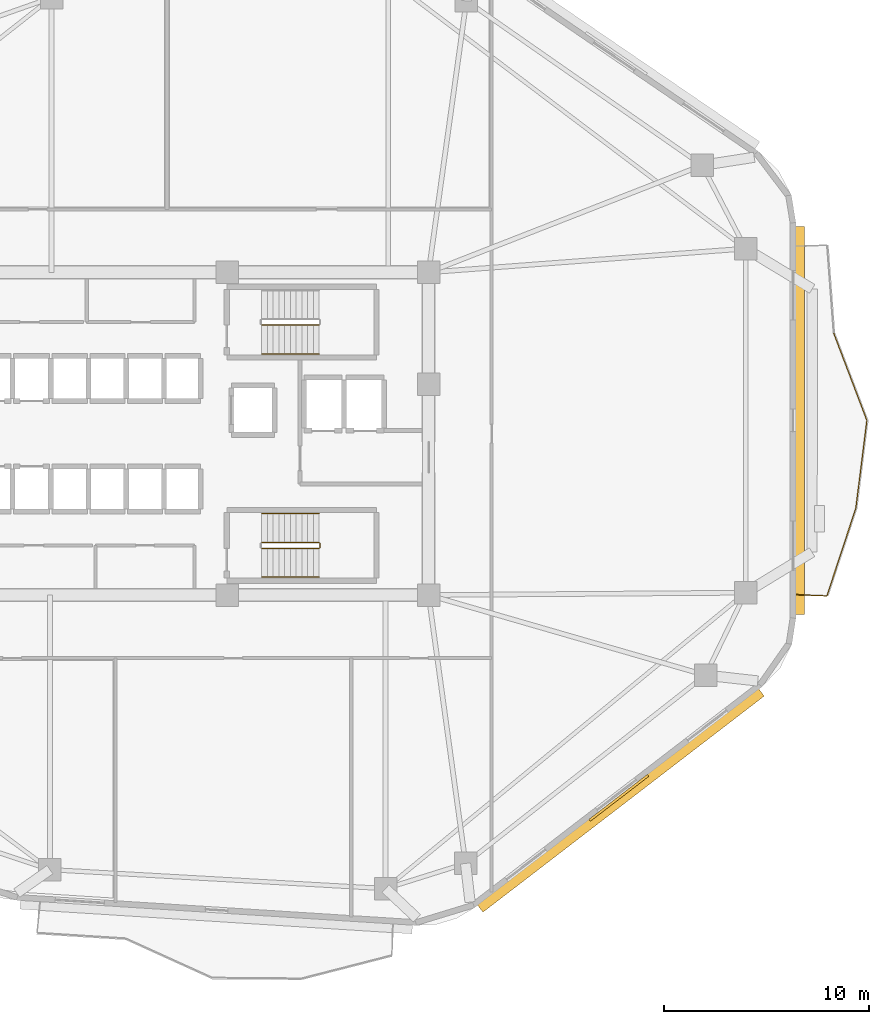
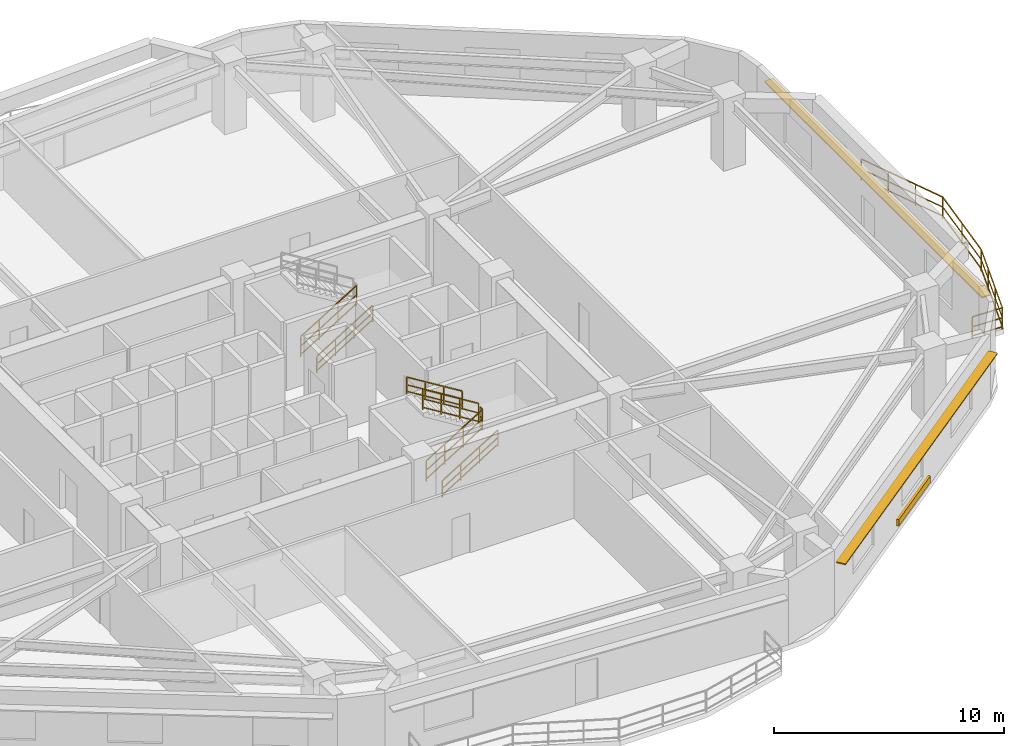
# One storey, part 7 of 8: 11 railings, 3 shading devices.
"""IFC4 building model written with IfcOpenShell, lengths in metres."""

from ifc_helpers import new_model, si_unit, direction, frame, origin, origin_2d, place, context, subcontext, project, spatial, rectangle, extrude, material, layer, layer_set, type_object, element, save


model = new_model("IFC4")

# Units and contexts
model_context = context("Model", 3, precision=1e-05, world=origin(), true_north=direction((0.0, 1.0)))
body_context = subcontext(model_context, "Body", "Model", "MODEL_VIEW")
ifc_project = project(units=[si_unit("LENGTHUNIT", "METRE"), si_unit("AREAUNIT", "SQUARE_METRE"), si_unit("VOLUMEUNIT", "CUBIC_METRE"), si_unit("PLANEANGLEUNIT", "RADIAN"), si_unit("MASSUNIT", "GRAM", prefix="KILO")], contexts=[model_context])

# Site, building, storey
site_placement = place(None, origin())
site = spatial("IfcSite", under=ifc_project, at=site_placement, CompositionType="ELEMENT")
building_placement = place(site_placement, origin())
building = spatial("IfcBuilding", under=site, at=building_placement, Name="Zulverin Broadcast Headquarters", CompositionType="ELEMENT")
storey_placement = place(building_placement, frame((0.0, 0.0, 89.60009765625)))
storey = spatial("IfcBuildingStorey", under=building, at=storey_placement, Name="L22", CompositionType="ELEMENT", Elevation=89.60009765625)

# Railings
ifc_material_1 = material(Name="Brushed stainless steel & laminated glass balustrade", Category="steel")
railing_type_1 = type_object("IfcRailingType", Name="RL-GUARD-1150", PredefinedType="GUARDRAIL", material=ifc_material_1)
railing_1_placement = place(storey_placement, frame((66.239990234375, 17.343505859375, 0.0)))
element("IfcRailing", 1, at=railing_1_placement, inside=storey, type_object=railing_type_1, Name="L22 Vertical-Forest Balcony Guardrail BAL_E Segment 01", PredefinedType="GUARDRAIL", context=body_context, shape_type="SweptSolid", body=[
    extrude(rectangle(XDim=0.048095703125, YDim=0.048095703125, at=origin_2d()), frame((0.0, 0.0, 1.1259765625), z_axis=(0.999174410196, -0.040626321628, 0.0), x_axis=(0.040626321628, 0.999174410196, 0.0)), (0.0, 0.0, 1.0), 1.46630859375),
    extrude(rectangle(XDim=0.0419921875, YDim=0.0419921875, at=origin_2d()), frame((0.0, 0.0, 0.597900390625), z_axis=(0.999174410196, -0.040626321628, 0.0), x_axis=(0.040626321628, 0.999174410196, 0.0)), (0.0, 0.0, 1.0), 1.46630859375),
    extrude(rectangle(XDim=0.0419921875, YDim=0.0419921875, at=origin_2d()), frame((0.0, 0.0, 0.1201171875), z_axis=(0.999174410196, -0.040626321628, 0.0), x_axis=(0.040626321628, 0.999174410196, 0.0)), (0.0, 0.0, 1.0), 1.46630859375),
    extrude(rectangle(XDim=0.0419921875, YDim=0.0419921875, at=origin_2d()), origin(), (0.0, 0.0, 1.0), 1.101806640625),
    extrude(rectangle(XDim=0.0419921875, YDim=0.0419921875, at=origin_2d()), frame((1.465087890625, -0.0595703125, 0.0)), (0.0, 0.0, 1.0), 1.101806640625),
])
railing_2_placement = place(storey_placement, frame((67.724609375, 17.297607421875, 0.0)))
element("IfcRailing", 2, at=railing_2_placement, inside=storey, type_object=railing_type_1, Name="L22 Vertical-Forest Balcony Guardrail BAL_E Segment 02", PredefinedType="GUARDRAIL", context=body_context, shape_type="SweptSolid", body=[
    extrude(rectangle(XDim=0.048095703125, YDim=0.048095703125, at=origin_2d()), frame((0.0, 0.0, 1.1259765625), z_axis=(0.312955712624, 0.949767719991, 0.0), x_axis=(-0.949767719991, 0.312955712624, 0.0)), (0.0, 0.0, 1.0), 4.4794921875),
    extrude(rectangle(XDim=0.0419921875, YDim=0.0419921875, at=origin_2d()), frame((0.0, 0.0, 0.597900390625), z_axis=(0.312955712624, 0.949767719991, 0.0), x_axis=(-0.949767719991, 0.312955712624, 0.0)), (0.0, 0.0, 1.0), 4.4794921875),
    extrude(rectangle(XDim=0.0419921875, YDim=0.0419921875, at=origin_2d()), frame((0.0, 0.0, 0.1201171875), z_axis=(0.312955712624, 0.949767719991, 0.0), x_axis=(-0.949767719991, 0.312955712624, 0.0)), (0.0, 0.0, 1.0), 4.4794921875),
    extrude(rectangle(XDim=0.0419921875, YDim=0.0419921875, at=origin_2d()), origin(), (0.0, 0.0, 1.0), 1.101806640625),
    extrude(rectangle(XDim=0.0419921875, YDim=0.0419921875, at=origin_2d()), frame((0.46728515625, 1.418212890625, 0.0)), (0.0, 0.0, 1.0), 1.101806640625),
    extrude(rectangle(XDim=0.0419921875, YDim=0.0419921875, at=origin_2d()), frame((0.9345703125, 2.836181640625, 0.0)), (0.0, 0.0, 1.0), 1.101806640625),
    extrude(rectangle(XDim=0.0419921875, YDim=0.0419921875, at=origin_2d()), frame((1.40185546875, 4.25439453125, 0.0)), (0.0, 0.0, 1.0), 1.101806640625),
])
railing_3_placement = place(storey_placement, frame((69.133056640625, 21.5810546875, 0.0)))
element("IfcRailing", 3, at=railing_3_placement, inside=storey, type_object=railing_type_1, Name="L22 Vertical-Forest Balcony Guardrail BAL_E Segment 03", PredefinedType="GUARDRAIL", context=body_context, shape_type="SweptSolid", body=[
    extrude(rectangle(XDim=0.048095703125, YDim=0.048095703125, at=origin_2d()), frame((0.0, 0.0, 1.1259765625), z_axis=(0.124847851321, 0.99217589873, 0.0), x_axis=(-0.99217589873, 0.124847851321, 0.0)), (0.0, 0.0, 1.0), 4.286376953125),
    extrude(rectangle(XDim=0.0419921875, YDim=0.0419921875, at=origin_2d()), frame((0.0, 0.0, 0.597900390625), z_axis=(0.124847851321, 0.99217589873, 0.0), x_axis=(-0.99217589873, 0.124847851321, 0.0)), (0.0, 0.0, 1.0), 4.286376953125),
    extrude(rectangle(XDim=0.0419921875, YDim=0.0419921875, at=origin_2d()), frame((0.0, 0.0, 0.1201171875), z_axis=(0.124847851321, 0.99217589873, 0.0), x_axis=(-0.99217589873, 0.124847851321, 0.0)), (0.0, 0.0, 1.0), 4.286376953125),
    extrude(rectangle(XDim=0.0419921875, YDim=0.0419921875, at=origin_2d()), origin(), (0.0, 0.0, 1.0), 1.101806640625),
    extrude(rectangle(XDim=0.0419921875, YDim=0.0419921875, at=origin_2d()), frame((0.267578125, 2.12646484375, 0.0)), (0.0, 0.0, 1.0), 1.101806640625),
    extrude(rectangle(XDim=0.0419921875, YDim=0.0419921875, at=origin_2d()), frame((0.53515625, 4.2529296875, 0.0)), (0.0, 0.0, 1.0), 1.101806640625),
])
railing_4_placement = place(storey_placement, frame((69.664794921875, 25.86279296875, 0.0)))
element("IfcRailing", 4, at=railing_4_placement, inside=storey, type_object=railing_type_1, Name="L22 Vertical-Forest Balcony Guardrail BAL_E Segment 04", PredefinedType="GUARDRAIL", context=body_context, shape_type="SweptSolid", body=[
    extrude(rectangle(XDim=0.048095703125, YDim=0.048095703125, at=origin_2d()), frame((0.0, 0.0, 1.1259765625), z_axis=(-0.35546893997, 0.934688093813, 0.0), x_axis=(-0.934688093813, -0.35546893997, 0.0)), (0.0, 0.0, 1.0), 4.55224609375),
    extrude(rectangle(XDim=0.0419921875, YDim=0.0419921875, at=origin_2d()), frame((0.0, 0.0, 0.597900390625), z_axis=(-0.35546893997, 0.934688093813, 0.0), x_axis=(-0.934688093813, -0.35546893997, 0.0)), (0.0, 0.0, 1.0), 4.55224609375),
    extrude(rectangle(XDim=0.0419921875, YDim=0.0419921875, at=origin_2d()), frame((0.0, 0.0, 0.1201171875), z_axis=(-0.35546893997, 0.934688093813, 0.0), x_axis=(-0.934688093813, -0.35546893997, 0.0)), (0.0, 0.0, 1.0), 4.55224609375),
    extrude(rectangle(XDim=0.0419921875, YDim=0.0419921875, at=origin_2d()), origin(), (0.0, 0.0, 1.0), 1.101806640625),
    extrude(rectangle(XDim=0.0419921875, YDim=0.0419921875, at=origin_2d()), frame((-0.539306640625, 1.418212890625, 0.0)), (0.0, 0.0, 1.0), 1.101806640625),
    extrude(rectangle(XDim=0.0419921875, YDim=0.0419921875, at=origin_2d()), frame((-1.078857421875, 2.836669921875, 0.0)), (0.0, 0.0, 1.0), 1.101806640625),
    extrude(rectangle(XDim=0.0419921875, YDim=0.0419921875, at=origin_2d()), frame((-1.6181640625, 4.2548828125, 0.0)), (0.0, 0.0, 1.0), 1.101806640625),
])
ifc_material_2 = material(Name="Painted galvanized steel tubular guardrail S355JR", Category="steel")
railing_type_2 = type_object("IfcRailingType", Name="RL-ST-GUARD", PredefinedType="GUARDRAIL", material=ifc_material_2)
for number, where, name in (
    (5, (40.1298828125, 30.5, 0.172607421875), "L22 ST-1 stair guard 1"),
    (6, (40.1298828125, 19.60009765625, 0.172607421875), "L22 ST-2 stair guard 1"),
):
    element("IfcRailing", number, at=place(storey_placement, frame(where)), inside=storey, type_object=railing_type_2, Name=name, PredefinedType="GUARDRAIL", context=body_context, shape_type="SweptSolid", body=[
        extrude(rectangle(XDim=0.048095703125, YDim=0.048095703125, at=origin_2d()), frame((0.0, 0.0, 1.076171875), z_axis=(0.851089632645, 0.0, 0.525020415988), x_axis=(0.0, 1.0, 0.0)), (0.0, 0.0, 1.0), 3.2900390625),
        extrude(rectangle(XDim=0.0419921875, YDim=0.0419921875, at=origin_2d()), frame((0.0, 0.0, 0.572021484375), z_axis=(0.851089632645, 0.0, 0.525020415988), x_axis=(0.0, 1.0, 0.0)), (0.0, 0.0, 1.0), 3.2900390625),
        extrude(rectangle(XDim=0.0419921875, YDim=0.0419921875, at=origin_2d()), frame((0.0, 0.0, 0.1201171875), z_axis=(0.851089632645, 0.0, 0.525020415988), x_axis=(0.0, 1.0, 0.0)), (0.0, 0.0, 1.0), 3.2900390625),
        extrude(rectangle(XDim=0.0419921875, YDim=0.0419921875, at=origin_2d()), origin(), (0.0, 0.0, 1.0), 1.052001953125),
        extrude(rectangle(XDim=0.0419921875, YDim=0.0419921875, at=origin_2d()), frame((0.933349609375, 0.0, 0.57568359375)), (0.0, 0.0, 1.0), 1.052001953125),
        extrude(rectangle(XDim=0.0419921875, YDim=0.0419921875, at=origin_2d()), frame((1.86669921875, 0.0, 1.151611328125)), (0.0, 0.0, 1.0), 1.052001953125),
        extrude(rectangle(XDim=0.0419921875, YDim=0.0419921875, at=origin_2d()), frame((2.800048828125, 0.0, 1.727294921875)), (0.0, 0.0, 1.0), 1.052001953125),
    ])
railing_5_placement = place(storey_placement, frame((42.97998046875, 19.64990234375, 1.89990234375)))
element("IfcRailing", 7, at=railing_5_placement, inside=storey, type_object=railing_type_2, Name="L22 ST-2 stair guard 2", PredefinedType="GUARDRAIL", context=body_context, shape_type="SweptSolid", body=[
    extrude(rectangle(XDim=0.048095703125, YDim=0.048095703125, at=origin_2d()), frame((0.0, 0.0, 1.076171875), z_axis=(0.0, 1.0, 0.0), x_axis=(-1.0, 0.0, 0.0)), (0.0, 0.0, 1.0), 0.2001953125),
    extrude(rectangle(XDim=0.0419921875, YDim=0.0419921875, at=origin_2d()), frame((0.0, 0.0, 0.572021484375), z_axis=(0.0, 1.0, 0.0), x_axis=(-1.0, 0.0, 0.0)), (0.0, 0.0, 1.0), 0.2001953125),
    extrude(rectangle(XDim=0.0419921875, YDim=0.0419921875, at=origin_2d()), frame((0.0, 0.0, 0.1201171875), z_axis=(0.0, 1.0, 0.0), x_axis=(-1.0, 0.0, 0.0)), (0.0, 0.0, 1.0), 0.2001953125),
    extrude(rectangle(XDim=0.0419921875, YDim=0.0419921875, at=origin_2d()), origin(), (0.0, 0.0, 1.0), 1.052001953125),
    extrude(rectangle(XDim=0.0419921875, YDim=0.0419921875, at=origin_2d()), frame((0.0, 0.2001953125, 0.0)), (0.0, 0.0, 1.0), 1.052001953125),
])
railing_6_placement = place(storey_placement, frame((42.929931640625, 19.89990234375, 2.072509765625)))
element("IfcRailing", 8, at=railing_6_placement, inside=storey, type_object=railing_type_2, Name="L22 ST-2 stair guard 3", PredefinedType="GUARDRAIL", context=body_context, shape_type="SweptSolid", body=[
    extrude(rectangle(XDim=0.048095703125, YDim=0.048095703125, at=origin_2d()), frame((0.0, 0.0, 1.076171875), z_axis=(-0.851089632645, 0.0, 0.525020415988), x_axis=(0.0, -1.0, 0.0)), (0.0, 0.0, 1.0), 3.2900390625),
    extrude(rectangle(XDim=0.0419921875, YDim=0.0419921875, at=origin_2d()), frame((0.0, 0.0, 0.572021484375), z_axis=(-0.851089632645, 0.0, 0.525020415988), x_axis=(0.0, -1.0, 0.0)), (0.0, 0.0, 1.0), 3.2900390625),
    extrude(rectangle(XDim=0.0419921875, YDim=0.0419921875, at=origin_2d()), frame((0.0, 0.0, 0.1201171875), z_axis=(-0.851089632645, 0.0, 0.525020415988), x_axis=(0.0, -1.0, 0.0)), (0.0, 0.0, 1.0), 3.2900390625),
    extrude(rectangle(XDim=0.0419921875, YDim=0.0419921875, at=origin_2d()), origin(), (0.0, 0.0, 1.0), 1.052001953125),
    extrude(rectangle(XDim=0.0419921875, YDim=0.0419921875, at=origin_2d()), frame((-0.933349609375, 0.0, 0.57568359375)), (0.0, 0.0, 1.0), 1.052001953125),
    extrude(rectangle(XDim=0.0419921875, YDim=0.0419921875, at=origin_2d()), frame((-1.86669921875, 0.0, 1.151611328125)), (0.0, 0.0, 1.0), 1.052001953125),
    extrude(rectangle(XDim=0.0419921875, YDim=0.0419921875, at=origin_2d()), frame((-2.800048828125, 0.0, 1.727294921875)), (0.0, 0.0, 1.0), 1.052001953125),
])
ifc_material_3 = material(Name="Brushed stainless steel 48 mm handrail", Category="steel")
railing_type_3 = type_object("IfcRailingType", Name="RL-ST-HAND", PredefinedType="HANDRAIL", material=ifc_material_3)
for number, where, name in (
    (9, (40.1298828125, 29.10009765625, 0.172607421875), "L22 ST-1 stair handrail 1"),
    (10, (40.1298828125, 18.199951171875, 0.172607421875), "L22 ST-2 stair handrail 1"),
):
    element("IfcRailing", number, at=place(storey_placement, frame(where)), inside=storey, type_object=railing_type_3, Name=name, PredefinedType="HANDRAIL", context=body_context, shape_type="SweptSolid", body=[
        extrude(rectangle(XDim=0.048095703125, YDim=0.048095703125, at=origin_2d()), frame((0.0, 0.0, 0.8759765625), z_axis=(0.851089632645, 0.0, 0.525020415988), x_axis=(0.0, 1.0, 0.0)), (0.0, 0.0, 1.0), 3.2900390625),
        extrude(rectangle(XDim=0.0419921875, YDim=0.0419921875, at=origin_2d()), frame((0.0, 0.0, 0.468017578125), z_axis=(0.851089632645, 0.0, 0.525020415988), x_axis=(0.0, 1.0, 0.0)), (0.0, 0.0, 1.0), 3.2900390625),
        extrude(rectangle(XDim=0.0419921875, YDim=0.0419921875, at=origin_2d()), frame((0.0, 0.0, 0.1201171875), z_axis=(0.851089632645, 0.0, 0.525020415988), x_axis=(0.0, 1.0, 0.0)), (0.0, 0.0, 1.0), 3.2900390625),
        extrude(rectangle(XDim=0.0419921875, YDim=0.0419921875, at=origin_2d()), origin(), (0.0, 0.0, 1.0), 0.851806640625),
        extrude(rectangle(XDim=0.0419921875, YDim=0.0419921875, at=origin_2d()), frame((0.933349609375, 0.0, 0.57568359375)), (0.0, 0.0, 1.0), 0.851806640625),
        extrude(rectangle(XDim=0.0419921875, YDim=0.0419921875, at=origin_2d()), frame((1.86669921875, 0.0, 1.151611328125)), (0.0, 0.0, 1.0), 0.851806640625),
        extrude(rectangle(XDim=0.0419921875, YDim=0.0419921875, at=origin_2d()), frame((2.800048828125, 0.0, 1.727294921875)), (0.0, 0.0, 1.0), 0.851806640625),
    ])
railing_7_placement = place(storey_placement, frame((42.929931640625, 21.300048828125, 2.072509765625)))
element("IfcRailing", 11, at=railing_7_placement, inside=storey, type_object=railing_type_3, Name="L22 ST-2 stair handrail 2", PredefinedType="HANDRAIL", context=body_context, shape_type="SweptSolid", body=[
    extrude(rectangle(XDim=0.048095703125, YDim=0.048095703125, at=origin_2d()), frame((0.0, 0.0, 0.8759765625), z_axis=(-0.851089632645, 0.0, 0.525020415988), x_axis=(0.0, -1.0, 0.0)), (0.0, 0.0, 1.0), 3.2900390625),
    extrude(rectangle(XDim=0.0419921875, YDim=0.0419921875, at=origin_2d()), frame((0.0, 0.0, 0.468017578125), z_axis=(-0.851089632645, 0.0, 0.525020415988), x_axis=(0.0, -1.0, 0.0)), (0.0, 0.0, 1.0), 3.2900390625),
    extrude(rectangle(XDim=0.0419921875, YDim=0.0419921875, at=origin_2d()), frame((0.0, 0.0, 0.1201171875), z_axis=(-0.851089632645, 0.0, 0.525020415988), x_axis=(0.0, -1.0, 0.0)), (0.0, 0.0, 1.0), 3.2900390625),
    extrude(rectangle(XDim=0.0419921875, YDim=0.0419921875, at=origin_2d()), origin(), (0.0, 0.0, 1.0), 0.851806640625),
    extrude(rectangle(XDim=0.0419921875, YDim=0.0419921875, at=origin_2d()), frame((-0.933349609375, 0.0, 0.57568359375)), (0.0, 0.0, 1.0), 0.851806640625),
    extrude(rectangle(XDim=0.0419921875, YDim=0.0419921875, at=origin_2d()), frame((-1.86669921875, 0.0, 1.151611328125)), (0.0, 0.0, 1.0), 0.851806640625),
    extrude(rectangle(XDim=0.0419921875, YDim=0.0419921875, at=origin_2d()), frame((-2.800048828125, 0.0, 1.727294921875)), (0.0, 0.0, 1.0), 0.851806640625),
])

# Shading devices
ifc_material_4 = material(Name="Anodized pale-metal aluminium acoustic louvre", Category="aluminium")
shading_device_type_1 = type_object("IfcShadingDeviceType", Name="SHD-LOUVRE-350", PredefinedType="USERDEFINED", material=ifc_material_4)
shading_device_1_placement = place(storey_placement, frame((57.56103515625, 7.425048828125, 0.244873046875), z_axis=(0.0, 0.0, 1.0), x_axis=(0.792933468586, 0.609308226102, 0.0)))
element("IfcShadingDevice", 12, at=shading_device_1_placement, inside=storey, type_object=shading_device_type_1, Name="L22 Spandrel Intake Louvre 2", ObjectType="LOUVRE", PredefinedType="USERDEFINED", context=body_context, shape_type="SweptSolid", body=[
    extrude(rectangle(XDim=3.60009765625, YDim=0.1201171875, at=origin_2d()), origin(), (0.0, 0.0, 1.0), 0.35009765625),
])
ifc_material_5 = material(Name="Anodized pale-metal aluminium sunshade", Category="aluminium")
ifc_layer = layer(ifc_material_5, 0.06005859375, Name="Anodized pale-metal aluminium sunshade", Category="aluminium")
ifc_layer_set = layer_set([ifc_layer], Name="Anodized pale-metal aluminium sunshade")
shading_device_type_2 = type_object("IfcShadingDeviceType", Name="SS-01_PALE_METAL_ALUMINIUM_SUNSHADE", PredefinedType="USERDEFINED", material=ifc_layer_set)
shading_device_2_placement = place(storey_placement, frame((57.658447265625, 7.29833984375, 2.7099609375), z_axis=(0.0, 0.0, 1.0), x_axis=(0.792933468586, 0.609308226102, 0.0)))
element("IfcShadingDevice", 13, at=shading_device_2_placement, inside=storey, type_object=shading_device_type_2, Name="L22 Horizontal Pale-Metal Sunshade Band 2", ObjectType="SUNSHADE", PredefinedType="USERDEFINED", context=body_context, shape_type="SweptSolid", body=[
    extrude(rectangle(XDim=17.312744140625, YDim=0.449951171875, at=origin_2d()), origin(), (0.0, 0.0, 1.0), 0.06005859375),
])
shading_device_3_placement = place(storey_placement, frame((66.39990234375, 25.848876953125, 2.7099609375), z_axis=(0.0, 0.0, 1.0), x_axis=(0.0, 1.0, 0.0)))
element("IfcShadingDevice", 14, at=shading_device_3_placement, inside=storey, type_object=shading_device_type_2, Name="L22 Horizontal Pale-Metal Sunshade Band 3", ObjectType="SUNSHADE", PredefinedType="USERDEFINED", context=body_context, shape_type="SweptSolid", body=[
    extrude(rectangle(XDim=18.93115234375, YDim=0.449951171875, at=origin_2d()), origin(), (0.0, 0.0, 1.0), 0.06005859375),
])

save(model, "model.ifc")
